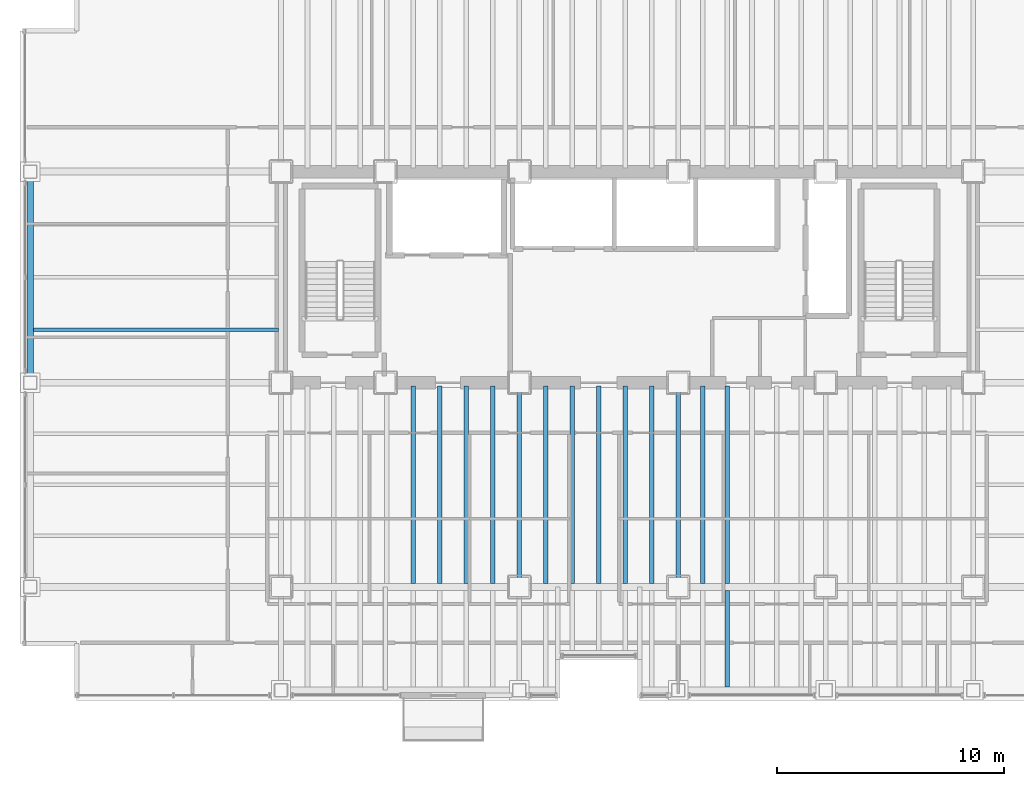
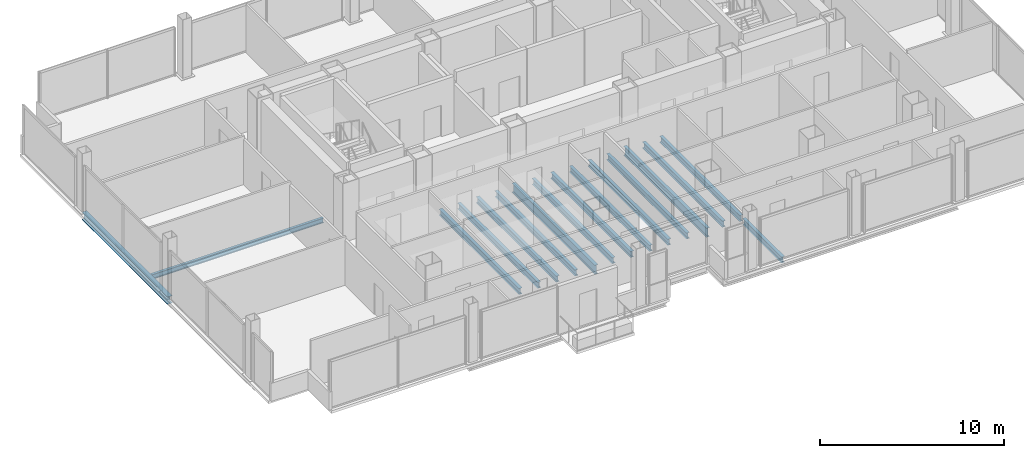
# One storey, part 5 of 21: 16 beams.
"""IFC4 building model written with IfcOpenShell, lengths in metres."""

import ifcopenshell
import ifcopenshell.guid

model = None  # the IFC model being written
_history = None  # IfcOwnerHistory: only IFC2X3 demands one
_inside = {}  # id of a spatial element -> (the spatial element, [elements in it])
_under = {}  # id of a project, library or spatial element -> (it, [spatial elements below it])
_declared = {}  # id of a project -> (the project, [libraries it declares])
_typed = {}  # id of a type object -> (the type object, [elements of that type])
_made_of = {}  # id of a material, layer set ... -> (it, [elements and type objects made of it])


def new_model(schema):
    """Start an empty IFC model of exactly this schema.

    Asked for "IFC4X3", IfcOpenShell would pick the latest addendum, in which some entities
    have other attributes; the version numbers below select the first issue.
    IFC2X3 requires an IfcOwnerHistory on every rooted entity: one is made here for all.
    """
    global model, _history
    if schema == "IFC4X3":
        model = ifcopenshell.file(schema_version=(4, 3, 0, 0))
    else:
        model = ifcopenshell.file(schema=schema)
    _inside.clear()
    _under.clear()
    _declared.clear()
    _typed.clear()
    _made_of.clear()
    _history = None
    if model.schema == "IFC2X3":
        org = make("IfcOrganization", Name="unknown")
        user = make(
            "IfcPersonAndOrganization",
            ThePerson=make("IfcPerson", FamilyName="unknown"),
            TheOrganization=org,
        )
        app = make(
            "IfcApplication",
            ApplicationDeveloper=org,
            Version="unknown",
            ApplicationFullName="unknown",
            ApplicationIdentifier="unknown",
        )
        _history = make(
            "IfcOwnerHistory",
            OwningUser=user,
            OwningApplication=app,
            ChangeAction="ADDED",
            CreationDate=0,
        )
    return model


def make(cls, **values):
    """One entity of the class cls with the attributes given. An attribute that is None is left unset."""
    return model.create_entity(
        cls, **{name: value for name, value in values.items() if value is not None}
    )


def rooted(cls, **values):
    """An entity with a GlobalId (a new one), such as an element, a storey or a relation."""
    return make(cls, GlobalId=ifcopenshell.guid.new(), OwnerHistory=_history, **values)


def si_unit(unit_type, name, prefix=None):
    """IfcSIUnit, for example si_unit("LENGTHUNIT", "METRE", prefix="MILLI")."""
    return make("IfcSIUnit", UnitType=unit_type, Prefix=prefix, Name=name)


def assignment(units):
    """IfcUnitAssignment: the units of a project."""
    return None if units is None else make("IfcUnitAssignment", Units=units)


def point(xyz):
    """IfcCartesianPoint."""
    return None if xyz is None else make("IfcCartesianPoint", Coordinates=xyz)


def direction(xyz):
    """IfcDirection."""
    return None if xyz is None else make("IfcDirection", DirectionRatios=xyz)


def frame(location, z_axis=None, x_axis=None):
    """IfcAxis2Placement3D, a coordinate frame: its origin and axes. An axis left out is left unset."""
    return make(
        "IfcAxis2Placement3D",
        Location=point(location),
        Axis=direction(z_axis),
        RefDirection=direction(x_axis),
    )


def frame_2d(location, x_axis=None):
    """IfcAxis2Placement2D, a coordinate frame in the plane: its origin and x axis."""
    return make(
        "IfcAxis2Placement2D", Location=point(location), RefDirection=direction(x_axis)
    )


def origin():
    """The frame at (0, 0, 0) with its axes left unset."""
    return frame((0.0, 0.0, 0.0))


def origin_2d():
    """The frame at (0, 0) in the plane with its x axis left unset."""
    return frame_2d((0.0, 0.0))


def place(relative_to, where):
    """IfcLocalPlacement: puts the frame where relative to a parent placement (None: the world)."""
    return make(
        "IfcLocalPlacement", PlacementRelTo=relative_to, RelativePlacement=where
    )


def context(
    kind, dimensions, precision=None, world=None, true_north=None, identifier=None
):
    """IfcGeometricRepresentationContext, for example the 3D "Model" context."""
    return make(
        "IfcGeometricRepresentationContext",
        ContextIdentifier=identifier,
        ContextType=kind,
        CoordinateSpaceDimension=dimensions,
        Precision=precision,
        WorldCoordinateSystem=world,
        TrueNorth=true_north,
    )


def subcontext(parent, identifier, kind, view, scale=None):
    """IfcGeometricRepresentationSubContext, for example "Body" below "Model"."""
    return make(
        "IfcGeometricRepresentationSubContext",
        ContextIdentifier=identifier,
        ContextType=kind,
        ParentContext=parent,
        TargetScale=scale,
        TargetView=view,
    )


def project(units=None, contexts=None):
    """IfcProject with its units and contexts."""
    return rooted(
        "IfcProject",
        Name="project",
        RepresentationContexts=contexts,
        UnitsInContext=assignment(units),
    )


def spatial(cls, under=None, at=None, **own):
    """A site, building, storey or space (cls), placed at a placement, below another one or the project."""
    s = rooted(cls, ObjectPlacement=at, **own)
    if under is not None:
        _under.setdefault(under.id(), (under, []))[1].append(s)
    return s


def profile(cls, at=None, kind="AREA", **sizes):
    """A parametric profile (cls). Its sizes go by their IFC names, for example OverallWidth=200.0."""
    return make(cls, ProfileType=kind, Position=at, **sizes)


def i_section(**sizes):
    """IfcIShapeProfileDef."""
    return profile("IfcIShapeProfileDef", **sizes)


def extrude(swept, where, along, depth):
    """IfcExtrudedAreaSolid: the profile swept, set in the frame where, extruded along a direction by depth."""
    return make(
        "IfcExtrudedAreaSolid",
        SweptArea=swept,
        Position=where,
        ExtrudedDirection=direction(along),
        Depth=depth,
    )


def shape(context_of_items, identifier, shape_type, items):
    """IfcShapeRepresentation: the items that make up one representation, for example the "Body"."""
    return make(
        "IfcShapeRepresentation",
        ContextOfItems=context_of_items,
        RepresentationIdentifier=identifier,
        RepresentationType=shape_type,
        Items=items,
    )


def material(Name=None, Category=None):
    """IfcMaterial."""
    return make("IfcMaterial", Name=Name, Category=Category)


def material_profile(
    of_material, cross_section, Name=None, Category=None, Priority=None
):
    """IfcMaterialProfile: a cross section and its material."""
    return make(
        "IfcMaterialProfile",
        Name=Name,
        Material=of_material,
        Profile=cross_section,
        Priority=Priority,
        Category=Category,
    )


def profile_set(profiles, Name=None, composite=None):
    """IfcMaterialProfileSet."""
    return make(
        "IfcMaterialProfileSet",
        Name=Name,
        MaterialProfiles=profiles,
        CompositeProfile=composite,
    )


def made_of(thing, what):
    """Note that an element or type object is made of a material, layer set ...; save() writes the relation."""
    if what is not None:
        _made_of.setdefault(what.id(), (what, []))[1].append(thing)
    return thing


def type_object(cls, material=None, **own):
    """A type object (cls), such as IfcWallType, which elements share."""
    return made_of(rooted(cls, **own), material)


def element(
    cls,
    number,
    at=None,
    inside=None,
    cuts=None,
    type_object=None,
    material=None,
    context=None,
    identifier="Body",
    shape_type=None,
    held_by="IfcProductDefinitionShape",
    body=None,
    shapes=None,
    **own,
):
    """One element of the class cls, such as IfcWall. Its Tag is "e" and its number.

    at: its placement. inside: the storey or other place that contains it. cuts: it is an
    opening in that element (IfcRelVoidsElement). A single representation is given by context,
    identifier, shape_type and body (its items); several are given by shapes. held_by: the class
    of the entity that holds the representations. save() writes the other relations.
    """
    e = rooted(cls, Tag="e%d" % number, ObjectPlacement=at, **own)
    if body is not None:
        shapes = [shape(context, identifier, shape_type, body)]
    if shapes is not None:
        e.Representation = make(held_by, Representations=shapes)
    if inside is not None:
        _inside.setdefault(inside.id(), (inside, []))[1].append(e)
    if cuts is not None:
        rooted(
            "IfcRelVoidsElement", RelatingBuildingElement=cuts, RelatedOpeningElement=e
        )
    if type_object is not None:
        _typed.setdefault(type_object.id(), (type_object, []))[1].append(e)
    return made_of(e, material)


def aggregate(whole, parts):
    """IfcRelAggregates: a whole, such as a stair, and the parts it consists of."""
    return rooted("IfcRelAggregates", RelatingObject=whole, RelatedObjects=parts)


def save(model, path):
    """Write the relations noted so far, then the file.

    IfcRelAggregates (storeys below a building ...), IfcRelContainedInSpatialStructure (elements
    in a storey), IfcRelDefinesByType, IfcRelAssociatesMaterial and IfcRelDeclares: one each for
    every whole, place, type object, material and project.
    """
    for whole, parts in _under.values():
        aggregate(whole, parts)
    for where, things in _inside.values():
        rooted(
            "IfcRelContainedInSpatialStructure",
            RelatedElements=things,
            RelatingStructure=where,
        )
    for kind, things in _typed.values():
        rooted("IfcRelDefinesByType", RelatedObjects=things, RelatingType=kind)
    for what, things in _made_of.values():
        rooted("IfcRelAssociatesMaterial", RelatedObjects=things, RelatingMaterial=what)
    for by, libraries in _declared.values():
        rooted("IfcRelDeclares", RelatingContext=by, RelatedDefinitions=libraries)
    model.write(path)


model = new_model("IFC4")

# Units and contexts
model_context = context("Model", 3, precision=1e-05, world=origin(), true_north=direction((0.0, 1.0)))
body_context = subcontext(model_context, "Body", "Model", "MODEL_VIEW")
ifc_project = project(units=[si_unit("LENGTHUNIT", "METRE"), si_unit("AREAUNIT", "SQUARE_METRE"), si_unit("VOLUMEUNIT", "CUBIC_METRE"), si_unit("PLANEANGLEUNIT", "RADIAN"), si_unit("MASSUNIT", "GRAM", prefix="KILO")], contexts=[model_context])

# Site, building, storey
site_placement = place(None, origin())
site = spatial("IfcSite", under=ifc_project, at=site_placement, CompositionType="ELEMENT")
building_placement = place(site_placement, origin())
building = spatial("IfcBuilding", under=site, at=building_placement, Name="Noeulbin Bourse Tower", CompositionType="ELEMENT")
storey_placement = place(building_placement, frame((0.0, 0.0, 30.39990234375)))
storey = spatial("IfcBuildingStorey", under=building, at=storey_placement, Name="L07", CompositionType="ELEMENT", Elevation=30.39990234375)

# Beams
ifc_material = material(Name="Steel S355", Category="steel")
ifc_material_profile_1 = material_profile(ifc_material, i_section(OverallWidth=0.199951171875, OverallDepth=0.60009765625, WebThickness=0.010986328125, FlangeThickness=0.01708984375, FilletRadius=0.02197265625, at=origin_2d()), Name="H-600x200x11x17", Category="LoadBearing")
ifc_profile_set_1 = profile_set([ifc_material_profile_1], Name="Steel S355")
beam_type_1 = type_object("IfcBeamType", Name="BM-GRD-600", PredefinedType="USERDEFINED", material=ifc_profile_set_1)
for number, where, z_axis, x_axis, name in (
    (1, (24.0, 20.0, -0.47998046875), (0.0, 1.0, 0.0), (-1.0, 0.0, 0.0), "Tower Primary Girder NS L07-2.2"),
    (2, (31.0, 20.0, -0.47998046875), (0.0, 1.0, 0.0), (-1.0, 0.0, 0.0), "Tower Primary Girder NS L07-3.2"),
):
    element("IfcBeam", number, at=place(storey_placement, frame(where, z_axis=z_axis, x_axis=x_axis)), inside=storey, type_object=beam_type_1, Name=name, ObjectType="GIRDER", PredefinedType="USERDEFINED", context=body_context, shape_type="SweptSolid", body=[
        extrude(i_section(OverallWidth=0.199951171875, OverallDepth=0.60009765625, WebThickness=0.010986328125, FlangeThickness=0.01708984375, FilletRadius=0.02197265625, at=origin_2d()), origin(), (0.0, 0.0, 1.0), 9.0),
    ])
ifc_material_profile_2 = material_profile(ifc_material, i_section(OverallWidth=0.159912109375, OverallDepth=0.320068359375, WebThickness=0.006591796875, FlangeThickness=0.010009765625, FilletRadius=0.012939453125, at=origin_2d()), Name="H-320x160x6.5x10", Category="LoadBearing")
ifc_profile_set_2 = profile_set([ifc_material_profile_2], Name="Steel S355")
beam_type_2 = type_object("IfcBeamType", Name="BM-JST-320", PredefinedType="JOIST", material=ifc_profile_set_2)
beam_1_placement = place(storey_placement, frame((2.60009765625, 31.324951171875, -0.33984375), z_axis=(1.0, 0.0, 0.0), x_axis=(0.0, 1.0, 0.0)))
element("IfcBeam", 3, at=beam_1_placement, inside=storey, type_object=beam_type_2, Name="Wing Composite Joist L07-W72", PredefinedType="JOIST", context=body_context, shape_type="SweptSolid", body=[
    extrude(i_section(OverallWidth=0.159912109375, OverallDepth=0.320068359375, WebThickness=0.006591796875, FlangeThickness=0.010009765625, FilletRadius=0.012939453125, at=origin_2d()), origin(), (0.0, 0.0, 1.0), 10.7998046875),
])
ifc_material_profile_3 = material_profile(ifc_material, i_section(OverallWidth=0.199951171875, OverallDepth=0.39990234375, WebThickness=0.008056640625, FlangeThickness=0.012939453125, FilletRadius=0.01611328125, at=origin_2d()), Name="H-400x200x8x13", Category="LoadBearing")
ifc_profile_set_3 = profile_set([ifc_material_profile_3], Name="Steel S355")
beam_type_3 = type_object("IfcBeamType", Name="BM-SEC-400", PredefinedType="BEAM", material=ifc_profile_set_3)
for number, where, z_axis, x_axis, name in (
    (4, (19.333251953125, 20.14990234375, -0.3798828125), (0.0, 1.0, 0.0), (-1.0, 0.0, 0.0), "Tower Composite Joist L07-13"),
    (5, (20.5, 20.14990234375, -0.3798828125), (0.0, 1.0, 0.0), (-1.0, 0.0, 0.0), "Tower Composite Joist L07-16"),
    (6, (21.666748046875, 20.14990234375, -0.3798828125), (0.0, 1.0, 0.0), (-1.0, 0.0, 0.0), "Tower Composite Joist L07-19"),
    (7, (22.833251953125, 20.14990234375, -0.3798828125), (0.0, 1.0, 0.0), (-1.0, 0.0, 0.0), "Tower Composite Joist L07-22"),
    (8, (25.166748046875, 20.14990234375, -0.3798828125), (0.0, 1.0, 0.0), (-1.0, 0.0, 0.0), "Tower Composite Joist L07-25"),
    (9, (26.333251953125, 20.14990234375, -0.3798828125), (0.0, 1.0, 0.0), (-1.0, 0.0, 0.0), "Tower Composite Joist L07-28"),
    (10, (27.5, 20.14990234375, -0.3798828125), (0.0, 1.0, 0.0), (-1.0, 0.0, 0.0), "Tower Composite Joist L07-31"),
    (11, (28.666748046875, 20.14990234375, -0.3798828125), (0.0, 1.0, 0.0), (-1.0, 0.0, 0.0), "Tower Composite Joist L07-34"),
    (12, (29.833251953125, 20.14990234375, -0.3798828125), (0.0, 1.0, 0.0), (-1.0, 0.0, 0.0), "Tower Composite Joist L07-37"),
    (13, (32.083251953125, 20.14990234375, -0.3798828125), (0.0, 1.0, 0.0), (-1.0, 0.0, 0.0), "Tower Composite Joist L07-40"),
):
    element("IfcBeam", number, at=place(storey_placement, frame(where, z_axis=z_axis, x_axis=x_axis)), inside=storey, type_object=beam_type_3, Name=name, PredefinedType="BEAM", context=body_context, shape_type="SweptSolid", body=[
        extrude(i_section(OverallWidth=0.199951171875, OverallDepth=0.39990234375, WebThickness=0.008056640625, FlangeThickness=0.012939453125, FilletRadius=0.01611328125, at=origin_2d()), origin(), (0.0, 0.0, 1.0), 8.7001953125),
    ])
beam_2_placement = place(storey_placement, frame((33.166748046875, 15.60009765625, -0.3798828125), z_axis=(0.0, 1.0, 0.0), x_axis=(-1.0, 0.0, 0.0)))
element("IfcBeam", 14, at=beam_2_placement, inside=storey, type_object=beam_type_3, Name="Tower Composite Joist L07-42", PredefinedType="BEAM", context=body_context, shape_type="SweptSolid", body=[
    extrude(i_section(OverallWidth=0.199951171875, OverallDepth=0.39990234375, WebThickness=0.008056640625, FlangeThickness=0.012939453125, FilletRadius=0.01611328125, at=origin_2d()), origin(), (0.0, 0.0, 1.0), 4.25),
])
beam_3_placement = place(storey_placement, frame((33.166748046875, 20.14990234375, -0.3798828125), z_axis=(0.0, 1.0, 0.0), x_axis=(-1.0, 0.0, 0.0)))
element("IfcBeam", 15, at=beam_3_placement, inside=storey, type_object=beam_type_3, Name="Tower Composite Joist L07-43", PredefinedType="BEAM", context=body_context, shape_type="SweptSolid", body=[
    extrude(i_section(OverallWidth=0.199951171875, OverallDepth=0.39990234375, WebThickness=0.008056640625, FlangeThickness=0.012939453125, FilletRadius=0.01611328125, at=origin_2d()), origin(), (0.0, 0.0, 1.0), 8.7001953125),
])
ifc_material_profile_4 = material_profile(ifc_material, i_section(OverallWidth=0.300048828125, OverallDepth=0.488037109375, WebThickness=0.010986328125, FlangeThickness=0.01806640625, FilletRadius=0.02197265625, at=origin_2d()), Name="H-488x300x11x18", Category="LoadBearing")
ifc_profile_set_4 = profile_set([ifc_material_profile_4], Name="Steel S355")
beam_type_4 = type_object("IfcBeamType", Name="BM-SPN-488", PredefinedType="SPANDREL", material=ifc_profile_set_4)
beam_4_placement = place(storey_placement, frame((2.449951171875, 29.0, -0.423828125), z_axis=(0.0, 1.0, 0.0), x_axis=(-1.0, 0.0, 0.0)))
element("IfcBeam", 16, at=beam_4_placement, inside=storey, type_object=beam_type_4, Name="West Spandrel L07-2", PredefinedType="SPANDREL", context=body_context, shape_type="SweptSolid", body=[
    extrude(i_section(OverallWidth=0.300048828125, OverallDepth=0.488037109375, WebThickness=0.010986328125, FlangeThickness=0.01806640625, FilletRadius=0.02197265625, at=origin_2d()), origin(), (0.0, 0.0, 1.0), 9.300048828125),
])

save(model, "model.ifc")
